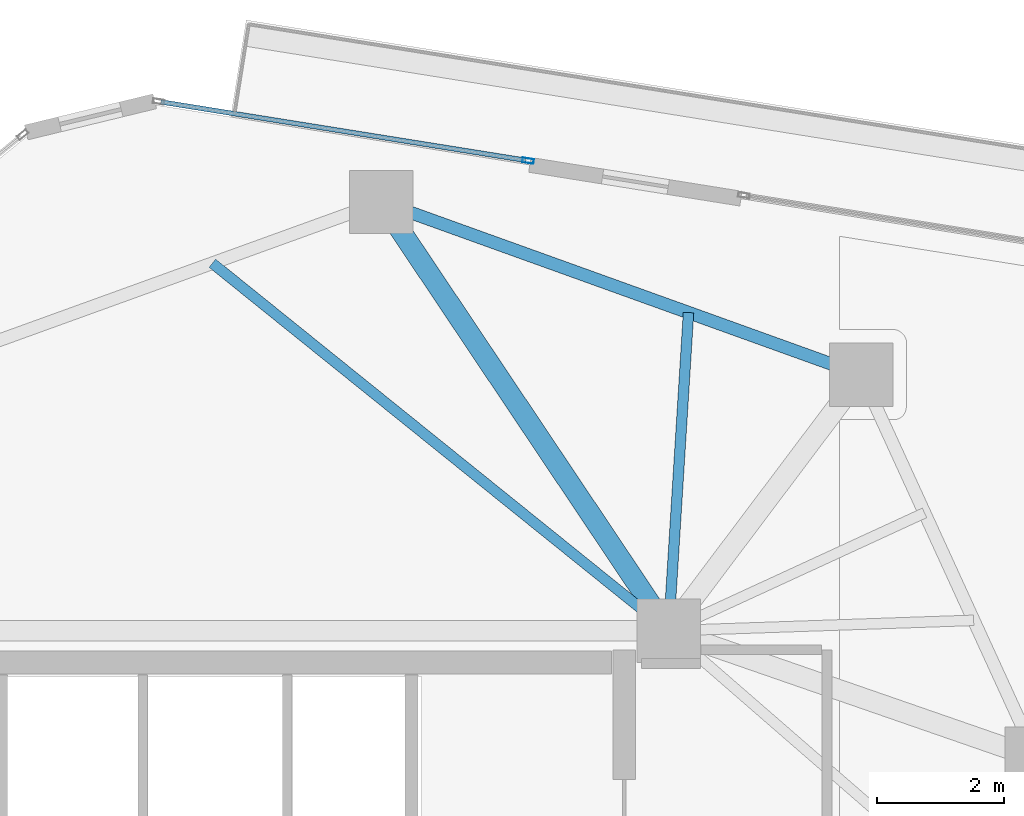
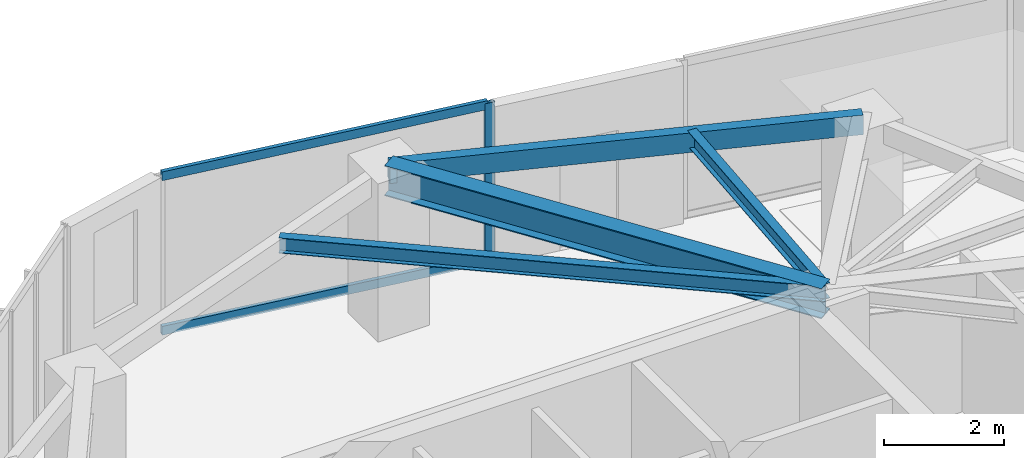
# One storey, part 15 of 22: 4 beams, 3 members, 1 element without a shape of its own.
"""IFC4 building model written with IfcOpenShell, lengths in metres."""

from ifc_helpers import new_model, si_unit, direction, frame, origin, origin_2d, place, context, subcontext, project, spatial, hollow_rectangle, i_section, extrude, source, transform, mapped, material, layer, layer_set, material_profile, profile_set, type_object, type_shapes, element, aggregate, save


model = new_model("IFC4")

# Units and contexts
model_context = context("Model", 3, precision=1e-05, world=origin(), true_north=direction((0.0, 1.0)))
body_context = subcontext(model_context, "Body", "Model", "MODEL_VIEW")
ifc_project = project(units=[si_unit("LENGTHUNIT", "METRE"), si_unit("AREAUNIT", "SQUARE_METRE"), si_unit("VOLUMEUNIT", "CUBIC_METRE"), si_unit("PLANEANGLEUNIT", "RADIAN"), si_unit("MASSUNIT", "GRAM", prefix="KILO")], contexts=[model_context])

# Site, building, storey
site_placement = place(None, origin())
site = spatial("IfcSite", under=ifc_project, at=site_placement, CompositionType="ELEMENT")
building_placement = place(site_placement, origin())
building = spatial("IfcBuilding", under=site, at=building_placement, Name="Talar Marvaseh", CompositionType="ELEMENT")
storey_placement = place(building_placement, frame((0.0, 0.0, 208.199951171875)))
storey = spatial("IfcBuildingStorey", under=building, at=storey_placement, Name="L54", CompositionType="ELEMENT", Elevation=208.199951171875)

# Beams
ifc_material_1 = material(Name="Steel S355", Category="steel")
ifc_material_profile_1 = material_profile(ifc_material_1, hollow_rectangle(XDim=0.199951171875, YDim=0.39990234375, WallThickness=0.013916015625, at=origin_2d()), Name="RHS400x200x14")
ifc_profile_set_1 = profile_set([ifc_material_profile_1], Name="Steel S355")
beam_type_1 = type_object("IfcBeamType", Name="Zone 3 Perimeter Spandrel Beam RHS400x200x14", PredefinedType="SPANDREL", material=ifc_profile_set_1)
beam_1_placement = place(storey_placement, frame((28.76611328125, 43.66796875, 3.030029296875), z_axis=(0.940923359576, -0.3386195969, 0.0), x_axis=(0.3386195969, 0.940923359576, 0.0)))
element("IfcBeam", 1, at=beam_1_placement, inside=storey, type_object=beam_type_1, Name="L54 Zone 3 Perimeter Spandrel Beam RHS400x200x14", PredefinedType="SPANDREL", context=body_context, shape_type="SweptSolid", body=[
    extrude(hollow_rectangle(XDim=0.199951171875, YDim=0.39990234375, WallThickness=0.013916015625, at=origin_2d()), origin(), (0.0, 0.0, 1.0), 8.050537109375),
])
ifc_material_profile_2 = material_profile(ifc_material_1, i_section(OverallWidth=0.324951171875, OverallDepth=0.615966796875, WebThickness=0.013916015625, FlangeThickness=0.021484375, at=origin_2d()), Name="W610x174")
ifc_profile_set_2 = profile_set([ifc_material_profile_2], Name="Steel S355")
beam_type_2 = type_object("IfcBeamType", Name="Zone 3 Radial Floor Girder W610x174", PredefinedType="BEAM", material=ifc_profile_set_2)
beam_2_placement = place(storey_placement, frame((28.76611328125, 43.66796875, 2.922119140625), z_axis=(0.556559209375, -0.830807948, 0.0), x_axis=(0.830807948, 0.556559209375, 0.0)))
element("IfcBeam", 2, at=beam_2_placement, inside=storey, type_object=beam_type_2, Name="L54 Zone 3 Radial Floor Girder W610x174", PredefinedType="BEAM", context=body_context, shape_type="SweptSolid", body=[
    extrude(i_section(OverallWidth=0.324951171875, OverallDepth=0.615966796875, WebThickness=0.013916015625, FlangeThickness=0.021484375, at=origin_2d()), origin(), (0.0, 0.0, 1.0), 8.146484375),
])
ifc_material_profile_3 = material_profile(ifc_material_1, i_section(OverallWidth=0.166015625, OverallDepth=0.31298828125, WebThickness=0.006591796875, FlangeThickness=0.01123046875, at=origin_2d()), Name="W310x45")
ifc_profile_set_3 = profile_set([ifc_material_profile_3], Name="Steel S355")
beam_type_3 = type_object("IfcBeamType", Name="Zone 3 Secondary Floor Joist W310x45", PredefinedType="JOIST", material=ifc_profile_set_3)
beam_3_placement = place(storey_placement, frame((33.614013671875, 41.92333984375, 3.073486328125), z_axis=(-0.062378286155, -0.998052578483, 0.0), x_axis=(0.998052578483, -0.062378286155, 0.0)))
element("IfcBeam", 3, at=beam_3_placement, inside=storey, type_object=beam_type_3, Name="L54 Zone 3 Secondary Floor Joist W310x45", PredefinedType="JOIST", context=body_context, shape_type="SweptSolid", body=[
    extrude(i_section(OverallWidth=0.166015625, OverallDepth=0.31298828125, WebThickness=0.006591796875, FlangeThickness=0.01123046875, at=origin_2d()), origin(), (0.0, 0.0, 1.0), 5.033203125),
])
beam_4_placement = place(storey_placement, frame((26.096923828125, 42.702392578125, 3.073486328125), z_axis=(0.778755341842, -0.627327759272, 0.0), x_axis=(0.627327759272, 0.778755341842, 0.0)))
element("IfcBeam", 4, at=beam_4_placement, inside=storey, type_object=beam_type_3, Name="L54 Zone 3 Secondary Floor Joist W310x45", PredefinedType="JOIST", context=body_context, shape_type="SweptSolid", body=[
    extrude(i_section(OverallWidth=0.166015625, OverallDepth=0.31298828125, WebThickness=0.006591796875, FlangeThickness=0.01123046875, at=origin_2d()), origin(), (0.0, 0.0, 1.0), 9.24951171875),
])

# Curtain wall, members
ifc_material_2 = material(Name="Architectural Aluminium", Category="aluminium")
ifc_layer = layer(ifc_material_2, 0.18994140625)
ifc_layer_set = layer_set([ifc_layer], Name="Architectural Aluminium")
curtain_wall_type = type_object("IfcCurtainWallType", Name="Unitised Solar Atelier Curtain Wall Z3", PredefinedType="NOTDEFINED", material=ifc_layer_set)
curtain_wall_placement = place(storey_placement, origin())
curtain_wall = element("IfcCurtainWall", 5, at=curtain_wall_placement, inside=storey, type_object=curtain_wall_type, Name="L54 Unitised Solar Atelier Curtain Wall Z3", PredefinedType="NOTDEFINED")
ifc_material_profile_4 = material_profile(ifc_material_2, hollow_rectangle(XDim=0.074951171875, YDim=0.179931640625, WallThickness=0.0048828125, at=origin_2d()), Name="RHS180x75x5")
ifc_profile_set_4 = profile_set([ifc_material_profile_4], Name="Architectural Aluminium")
member_type_1 = type_object("IfcMemberType", Name="Unitised Curtain Wall Standard Mullion RHS180x75x5", PredefinedType="MULLION", material=ifc_profile_set_4)
shared_shape_1 = source(origin(), body_context, "Body", "SweptSolid", [
    extrude(hollow_rectangle(XDim=0.074951171875, YDim=0.179931640625, WallThickness=0.0048828125, at=origin_2d()), origin(), (0.0, 0.0, 1.0), 3.22998046875),
])
type_shapes(member_type_1, [shared_shape_1])
member_1_placement = place(storey_placement, frame((31.081787109375, 44.320068359375, 0.0), z_axis=(0.0, 0.0, 1.0), x_axis=(0.15808503423, 0.987425501976, 0.0)))
member_1 = element("IfcMember", 6, at=member_1_placement, type_object=member_type_1, Name="CW-Z3 mullion 2", PredefinedType="MULLION", context=body_context, shape_type="MappedRepresentation", body=[
    mapped(shared_shape_1, transform((0.0, 0.0, 0.0), x_axis=(1.0, 0.0, 0.0), y_axis=(0.0, 1.0, 0.0), z_axis=(0.0, 0.0, 1.0), scale=1.0)),
])
ifc_material_profile_5 = material_profile(ifc_material_2, hollow_rectangle(XDim=0.074951171875, YDim=0.179931640625, WallThickness=0.0048828125, at=origin_2d()), Name="RHS180x75x5")
ifc_profile_set_5 = profile_set([ifc_material_profile_5], Name="Architectural Aluminium")
member_type_2 = type_object("IfcMemberType", Name="Unitised Curtain Wall Transom RHS180x75x5", PredefinedType="USERDEFINED", material=ifc_profile_set_5)
shared_shape_2 = source(origin(), body_context, "Body", "SweptSolid", [
    extrude(hollow_rectangle(XDim=0.074951171875, YDim=0.179931640625, WallThickness=0.0048828125, at=origin_2d()), origin(), (0.0, 0.0, 1.0), 5.83203125),
])
type_shapes(member_type_2, [shared_shape_2])
member_2_placement = place(storey_placement, frame((25.285888671875, 45.248046875, 0.03759765625), z_axis=(0.987421555356, -0.158109683508, 0.0), x_axis=(0.158109683508, 0.987421555356, 0.0)))
member_2 = element("IfcMember", 7, at=member_2_placement, type_object=member_type_2, Name="CW-Z3 transom 1.1", ObjectType="TRANSOM", PredefinedType="USERDEFINED", context=body_context, shape_type="MappedRepresentation", body=[
    mapped(shared_shape_2, transform((0.0, 0.0, 0.0), x_axis=(1.0, 0.0, 0.0), y_axis=(0.0, 1.0, 0.0), z_axis=(0.0, 0.0, 1.0), scale=1.0)),
])
member_3_placement = place(storey_placement, frame((25.285888671875, 45.248046875, 3.192626953125), z_axis=(0.987421555356, -0.158109683508, 0.0), x_axis=(0.158109683508, 0.987421555356, 0.0)))
member_3 = element("IfcMember", 8, at=member_3_placement, type_object=member_type_2, Name="CW-Z3 transom 1.2", ObjectType="TRANSOM", PredefinedType="USERDEFINED", context=body_context, shape_type="MappedRepresentation", body=[
    mapped(shared_shape_2, transform((0.0, 0.0, 0.0), x_axis=(1.0, 0.0, 0.0), y_axis=(0.0, 1.0, 0.0), z_axis=(0.0, 0.0, 1.0), scale=1.0)),
])
aggregate(curtain_wall, [member_1, member_2, member_3])

save(model, "model.ifc")
